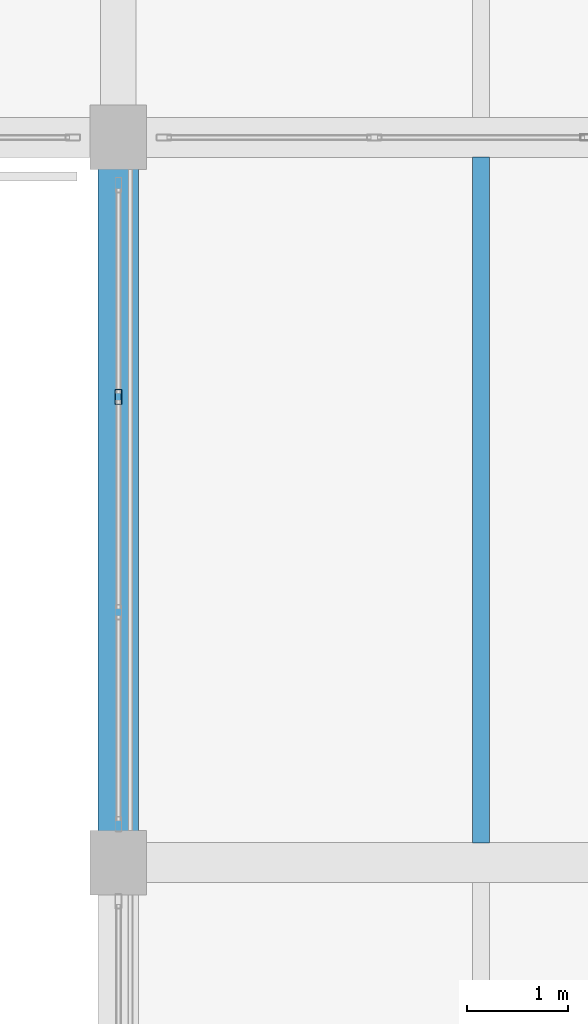
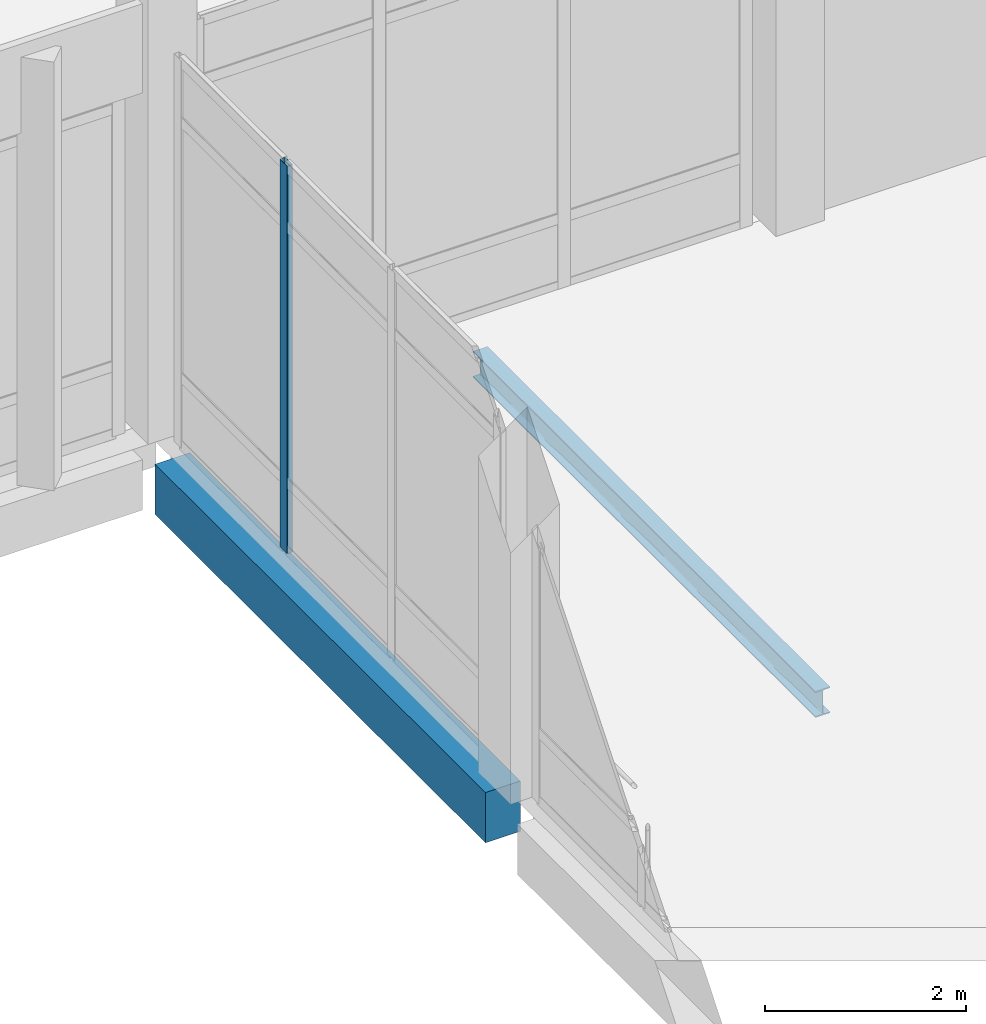
# One storey, part 79 of 180: 2 beams, 1 member, 1 element without a shape of its own.
"""IFC4 building model written with IfcOpenShell, lengths in metres."""

from ifc_helpers import new_model, si_unit, direction, frame, origin, origin_2d, place, context, subcontext, project, spatial, rectangle, hollow_rectangle, i_section, extrude, material, material_profile, profile_set, type_object, element, aggregate, save


model = new_model("IFC4")

# Units and contexts
model_context = context("Model", 3, precision=1e-05, world=origin(), true_north=direction((0.0, 1.0)))
body_context = subcontext(model_context, "Body", "Model", "MODEL_VIEW")
ifc_project = project(units=[si_unit("LENGTHUNIT", "METRE"), si_unit("AREAUNIT", "SQUARE_METRE"), si_unit("VOLUMEUNIT", "CUBIC_METRE"), si_unit("PLANEANGLEUNIT", "RADIAN"), si_unit("MASSUNIT", "GRAM", prefix="KILO")], contexts=[model_context])

# Site, building, storey
site_placement = place(None, origin())
site = spatial("IfcSite", under=ifc_project, at=site_placement, CompositionType="ELEMENT")
building_placement = place(site_placement, origin())
building = spatial("IfcBuilding", under=site, at=building_placement, Name="Lusvemor Sports Hall", CompositionType="ELEMENT")
storey_placement = place(building_placement, frame((0.0, 0.0, 5.39990234375)))
storey = spatial("IfcBuildingStorey", under=building, at=storey_placement, Name="L01", CompositionType="ELEMENT", Elevation=5.39990234375)

# Curtain wall, member
ifc_material_1 = material(Name="Thermally broken bronze-anodized aluminium", Category="aluminium")
curtain_wall_type = type_object("IfcCurtainWallType", Name="CW_WING_B", PredefinedType="NOTDEFINED", material=ifc_material_1)
curtain_wall_placement = place(storey_placement, origin())
curtain_wall = element("IfcCurtainWall", 1, at=curtain_wall_placement, inside=storey, type_object=curtain_wall_type, Name="Curtain Wall CW-V5NE-W-L01-B", PredefinedType="NOTDEFINED")
ifc_material_2 = material(Name="Thermally broken bronze-anodized aluminium", Category="aluminium")
ifc_material_profile_1 = material_profile(ifc_material_2, hollow_rectangle(XDim=0.06494140625, YDim=0.14990234375, WallThickness=0.00390625, InnerFilletRadius=0.00390625, OuterFilletRadius=0.008056640625, at=origin_2d()), Name="CWMUL150x65x4")
ifc_profile_set_1 = profile_set([ifc_material_profile_1], Name="Thermally broken bronze-anodized aluminium")
member_type = type_object("IfcMemberType", Name="CW_MUL_B", PredefinedType="MULLION", material=ifc_profile_set_1)
member_placement = place(storey_placement, frame((118.800048828125, 94.623291015625, 0.0), z_axis=(0.0, 0.0, 1.0), x_axis=(-1.0, 0.0, 0.0)))
member = element("IfcMember", 2, at=member_placement, type_object=member_type, Name="CW02 mullion 3", PredefinedType="MULLION", context=body_context, shape_type="SweptSolid", body=[
    extrude(hollow_rectangle(XDim=0.06494140625, YDim=0.14990234375, WallThickness=0.00390625, InnerFilletRadius=0.00390625, OuterFilletRadius=0.008056640625, at=origin_2d()), origin(), (0.0, 0.0, 1.0), 4.7001953125),
])
aggregate(curtain_wall, [member])

# Beams
ifc_material_3 = material(Name="Steel S355", Category="steel")
ifc_material_profile_2 = material_profile(ifc_material_3, i_section(OverallWidth=0.1669921875, OverallDepth=0.31689453125, WebThickness=0.007568359375, FlangeThickness=0.01318359375, FilletRadius=0.014892578125, at=origin_2d()), Name="W310x52.0")
ifc_profile_set_2 = profile_set([ifc_material_profile_2], Name="Steel S355")
beam_type_1 = type_object("IfcBeamType", Name="JOIST_ST_310M", PredefinedType="JOIST", material=ifc_profile_set_2)
beam_1_placement = place(storey_placement, frame((122.39990234375, 90.196044921875, -0.432373046875), z_axis=(0.0, 1.0, 0.0), x_axis=(-1.0, 0.0, 0.0)))
element("IfcBeam", 3, at=beam_1_placement, inside=storey, type_object=beam_type_1, Name="Secondary Joist L01 13-14/M-N #1", PredefinedType="JOIST", context=body_context, shape_type="SweptSolid", body=[
    extrude(i_section(OverallWidth=0.1669921875, OverallDepth=0.31689453125, WebThickness=0.007568359375, FlangeThickness=0.01318359375, FilletRadius=0.014892578125, at=origin_2d()), origin(), (0.0, 0.0, 1.0), 6.807861328125),
])
ifc_material_4 = material(Name="Concrete C40/50", Category="concrete")
ifc_material_profile_3 = material_profile(ifc_material_4, rectangle(XDim=0.39990234375, YDim=0.610107421875, at=origin_2d()), Name="RC400x610")
ifc_profile_set_3 = profile_set([ifc_material_profile_3], Name="Concrete C40/50")
beam_type_2 = type_object("IfcBeamType", Name="SPAND_EXT_650", PredefinedType="SPANDREL", material=ifc_profile_set_3)
beam_2_placement = place(storey_placement, frame((118.800048828125, 90.31591796875, -0.574951171875), z_axis=(0.0, 1.0, 0.0), x_axis=(-1.0, 0.0, 0.0)))
element("IfcBeam", 4, at=beam_2_placement, inside=storey, type_object=beam_type_2, Name="Beam L01 13:M-N", PredefinedType="SPANDREL", context=body_context, shape_type="SweptSolid", body=[
    extrude(rectangle(XDim=0.39990234375, YDim=0.610107421875, at=origin_2d()), origin(), (0.0, 0.0, 1.0), 6.568115234375),
])

save(model, "model.ifc")
